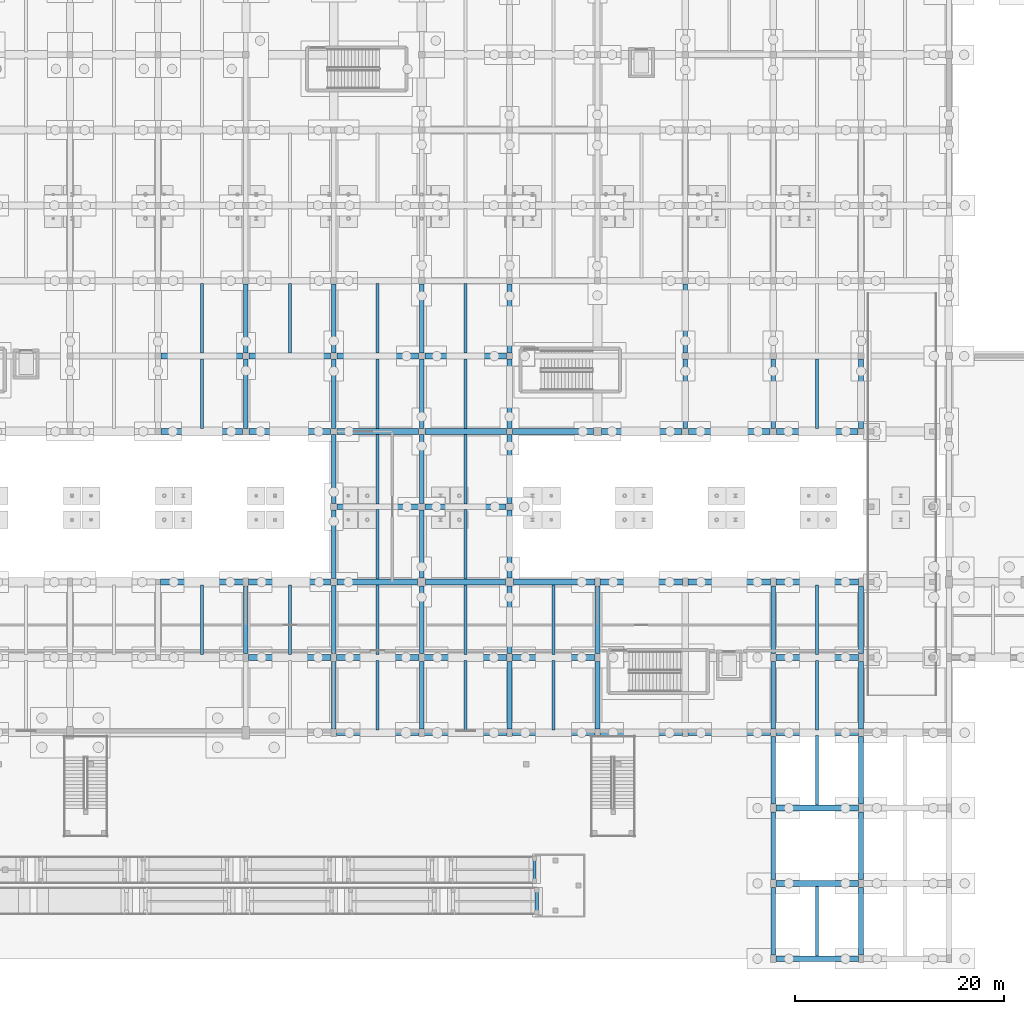
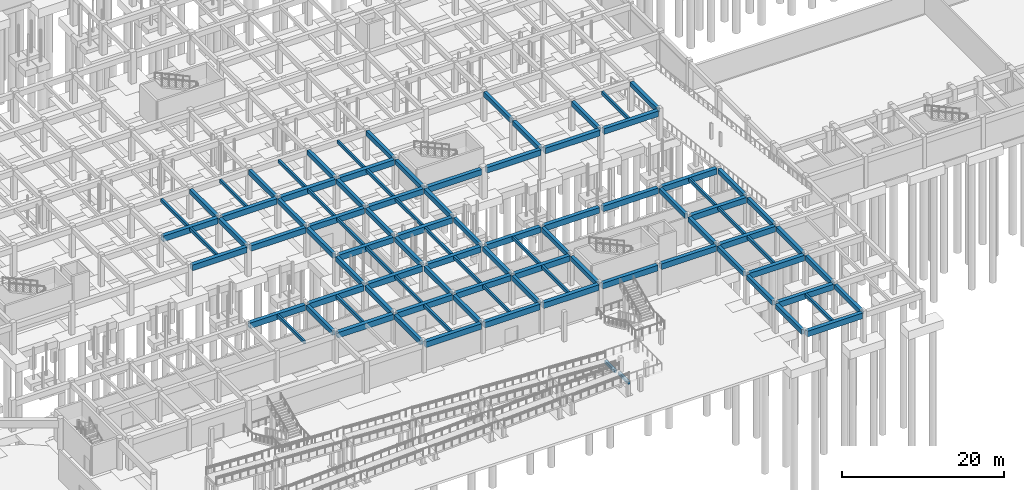
# One storey, part 52 of 80: 99 beams.
"""IFC4 building model written with IfcOpenShell, lengths in metres."""

from ifc_helpers import new_model, si_unit, direction, frame, origin, origin_2d, place, context, subcontext, project, spatial, rectangle, extrude, material, material_profile, profile_set, type_object, element, save


model = new_model("IFC4")

# Units and contexts
model_context = context("Model", 3, precision=1e-05, world=origin(), true_north=direction((0.0, 1.0)))
body_context = subcontext(model_context, "Body", "Model", "MODEL_VIEW")
ifc_project = project(units=[si_unit("LENGTHUNIT", "METRE"), si_unit("AREAUNIT", "SQUARE_METRE"), si_unit("VOLUMEUNIT", "CUBIC_METRE"), si_unit("PLANEANGLEUNIT", "RADIAN"), si_unit("MASSUNIT", "GRAM", prefix="KILO")], contexts=[model_context])

# Site, building, storey
site_placement = place(None, origin())
site = spatial("IfcSite", under=ifc_project, at=site_placement, CompositionType="ELEMENT")
building_placement = place(site_placement, origin())
building = spatial("IfcBuilding", under=site, at=building_placement, Name="Malvenik Polytechnic", CompositionType="ELEMENT")
storey_placement = place(building_placement, frame((0.0, 0.0, -4.800048828125)))
storey = spatial("IfcBuildingStorey", under=building, at=storey_placement, Name="B1", CompositionType="ELEMENT", Elevation=-4.800048828125)

# Beams
ifc_material_1 = material(Name="Concrete C35/45", Category="concrete")
ifc_material_profile_1 = material_profile(ifc_material_1, rectangle(XDim=0.550048828125, YDim=0.85009765625, at=origin_2d()), Name="RC BM 550x850")
ifc_profile_set_1 = profile_set([ifc_material_profile_1], Name="Concrete C35/45")
beam_type_1 = type_object("IfcBeamType", Name="STR-BM-B-01", PredefinedType="BEAM", material=ifc_profile_set_1)
for number, where, z_axis, x_axis, name in (
    (1, (117.847900390625, 0.0, 4.074951171875), (1.0, 0.0, 0.0), (0.0, 1.0, 0.0), "Primary Beam B-01 B1 #4"),
    (2, (117.847900390625, 7.199951171875, 4.074951171875), (1.0, 0.0, 0.0), (0.0, 1.0, 0.0), "Primary Beam B-01 B1 #6"),
    (3, (117.847900390625, 14.39990234375, 4.074951171875), (1.0, 0.0, 0.0), (0.0, 1.0, 0.0), "Primary Beam B-01 B1 #8"),
    (4, (75.847900390625, 21.60009765625, 4.074951171875), (1.0, 0.0, 0.0), (0.0, 1.0, 0.0), "Primary Beam B-01 B1 #13"),
    (5, (84.248046875, 21.60009765625, 4.074951171875), (1.0, 0.0, 0.0), (0.0, 1.0, 0.0), "Primary Beam B-01 B1 #14"),
    (6, (92.64794921875, 21.60009765625, 4.074951171875), (1.0, 0.0, 0.0), (0.0, 1.0, 0.0), "Primary Beam B-01 B1 #15"),
):
    element("IfcBeam", number, at=place(storey_placement, frame(where, z_axis=z_axis, x_axis=x_axis)), inside=storey, type_object=beam_type_1, Name=name, PredefinedType="BEAM", context=body_context, shape_type="SweptSolid", body=[
        extrude(rectangle(XDim=0.550048828125, YDim=0.85009765625, at=origin_2d()), origin(), (0.0, 0.0, 1.0), 7.904052734375),
    ])
beam_1_placement = place(storey_placement, frame((101.048095703125, 21.60009765625, 4.074951171875), z_axis=(1.0, 0.0, 0.0), x_axis=(0.0, 1.0, 0.0)))
element("IfcBeam", 7, at=beam_1_placement, inside=storey, type_object=beam_type_1, Name="Primary Beam B-01 B1 #16", PredefinedType="BEAM", context=body_context, shape_type="SweptSolid", body=[
    extrude(rectangle(XDim=0.550048828125, YDim=0.85009765625, at=origin_2d()), origin(), (0.0, 0.0, 1.0), 7.90380859375),
])
for number, where, z_axis, x_axis, name in (
    (8, (109.447998046875, 21.60009765625, 4.074951171875), (1.0, 0.0, 0.0), (0.0, 1.0, 0.0), "Primary Beam B-01 B1 #17"),
    (9, (117.847900390625, 21.60009765625, 4.074951171875), (1.0, 0.0, 0.0), (0.0, 1.0, 0.0), "Primary Beam B-01 B1 #18"),
    (10, (67.447998046875, 28.800048828125, 4.074951171875), (1.0, 0.0, 0.0), (0.0, 1.0, 0.0), "Primary Beam B-01 B1 #24"),
    (11, (75.847900390625, 28.800048828125, 4.074951171875), (1.0, 0.0, 0.0), (0.0, 1.0, 0.0), "Primary Beam B-01 B1 #25"),
    (12, (84.248046875, 28.800048828125, 4.074951171875), (1.0, 0.0, 0.0), (0.0, 1.0, 0.0), "Primary Beam B-01 B1 #26"),
    (13, (92.64794921875, 28.800048828125, 4.074951171875), (1.0, 0.0, 0.0), (0.0, 1.0, 0.0), "Primary Beam B-01 B1 #27"),
    (14, (117.847900390625, 28.800048828125, 4.074951171875), (1.0, 0.0, 0.0), (0.0, 1.0, 0.0), "Primary Beam B-01 B1 #28"),
):
    element("IfcBeam", number, at=place(storey_placement, frame(where, z_axis=z_axis, x_axis=x_axis)), inside=storey, type_object=beam_type_1, Name=name, PredefinedType="BEAM", context=body_context, shape_type="SweptSolid", body=[
        extrude(rectangle(XDim=0.550048828125, YDim=0.85009765625, at=origin_2d()), origin(), (0.0, 0.0, 1.0), 7.904052734375),
    ])
beam_2_placement = place(storey_placement, frame((59.048095703125, 36.0, 4.074951171875), z_axis=(1.0, 0.0, 0.0), x_axis=(0.0, 1.0, 0.0)))
element("IfcBeam", 15, at=beam_2_placement, inside=storey, type_object=beam_type_1, Name="Primary Beam B-01 B1 #39", PredefinedType="BEAM", context=body_context, shape_type="SweptSolid", body=[
    extrude(rectangle(XDim=0.550048828125, YDim=0.85009765625, at=origin_2d()), origin(), (0.0, 0.0, 1.0), 7.90380859375),
])
beam_3_placement = place(storey_placement, frame((67.447998046875, 36.0, 4.074951171875), z_axis=(1.0, 0.0, 0.0), x_axis=(0.0, 1.0, 0.0)))
element("IfcBeam", 16, at=beam_3_placement, inside=storey, type_object=beam_type_1, Name="Primary Beam B-01 B1 #40", PredefinedType="BEAM", context=body_context, shape_type="SweptSolid", body=[
    extrude(rectangle(XDim=0.550048828125, YDim=0.85009765625, at=origin_2d()), origin(), (0.0, 0.0, 1.0), 7.8291015625),
])
beam_4_placement = place(storey_placement, frame((75.923095703125, 36.0, 4.074951171875), z_axis=(1.0, 0.0, 0.0), x_axis=(0.0, 1.0, 0.0)))
element("IfcBeam", 17, at=beam_4_placement, inside=storey, type_object=beam_type_1, Name="Primary Beam B-01 B1 #41", PredefinedType="BEAM", context=body_context, shape_type="SweptSolid", body=[
    extrude(rectangle(XDim=0.550048828125, YDim=0.85009765625, at=origin_2d()), origin(), (0.0, 0.0, 1.0), 7.703857421875),
])
beam_5_placement = place(storey_placement, frame((84.373046875, 36.0, 4.074951171875), z_axis=(1.0, 0.0, 0.0), x_axis=(0.0, 1.0, 0.0)))
element("IfcBeam", 18, at=beam_5_placement, inside=storey, type_object=beam_type_1, Name="Primary Beam B-01 B1 #42", PredefinedType="BEAM", context=body_context, shape_type="SweptSolid", body=[
    extrude(rectangle(XDim=0.550048828125, YDim=0.85009765625, at=origin_2d()), origin(), (0.0, 0.0, 1.0), 7.654052734375),
])
beam_6_placement = place(storey_placement, frame((92.77294921875, 36.0, 4.074951171875), z_axis=(1.0, 0.0, 0.0), x_axis=(0.0, 1.0, 0.0)))
element("IfcBeam", 19, at=beam_6_placement, inside=storey, type_object=beam_type_1, Name="Primary Beam B-01 B1 #43", PredefinedType="BEAM", context=body_context, shape_type="SweptSolid", body=[
    extrude(rectangle(XDim=0.550048828125, YDim=0.85009765625, at=origin_2d()), origin(), (0.0, 0.0, 1.0), 7.779052734375),
])
beam_7_placement = place(storey_placement, frame((101.048095703125, 36.0, 4.074951171875), z_axis=(1.0, 0.0, 0.0), x_axis=(0.0, 1.0, 0.0)))
element("IfcBeam", 20, at=beam_7_placement, inside=storey, type_object=beam_type_1, Name="Primary Beam B-01 B1 #44", PredefinedType="BEAM", context=body_context, shape_type="SweptSolid", body=[
    extrude(rectangle(XDim=0.550048828125, YDim=0.85009765625, at=origin_2d()), origin(), (0.0, 0.0, 1.0), 7.90380859375),
])
for number, where, z_axis, x_axis, name in (
    (21, (109.447998046875, 36.0, 4.074951171875), (1.0, 0.0, 0.0), (0.0, 1.0, 0.0), "Primary Beam B-01 B1 #45"),
    (22, (117.847900390625, 36.0, 4.074951171875), (1.0, 0.0, 0.0), (0.0, 1.0, 0.0), "Primary Beam B-01 B1 #46"),
):
    element("IfcBeam", number, at=place(storey_placement, frame(where, z_axis=z_axis, x_axis=x_axis)), inside=storey, type_object=beam_type_1, Name=name, PredefinedType="BEAM", context=body_context, shape_type="SweptSolid", body=[
        extrude(rectangle(XDim=0.550048828125, YDim=0.85009765625, at=origin_2d()), origin(), (0.0, 0.0, 1.0), 7.904052734375),
    ])
for number, where, z_axis, x_axis, name in (
    (23, (75.923095703125, 43.199951171875, 4.074951171875), (1.0, 0.0, 0.0), (0.0, 1.0, 0.0), "Primary Beam B-01 B1 #53"),
    (24, (84.322998046875, 43.199951171875, 4.074951171875), (1.0, 0.0, 0.0), (0.0, 1.0, 0.0), "Primary Beam B-01 B1 #54"),
):
    element("IfcBeam", number, at=place(storey_placement, frame(where, z_axis=z_axis, x_axis=x_axis)), inside=storey, type_object=beam_type_1, Name=name, PredefinedType="BEAM", context=body_context, shape_type="SweptSolid", body=[
        extrude(rectangle(XDim=0.550048828125, YDim=0.85009765625, at=origin_2d()), origin(), (0.0, 0.0, 1.0), 7.75390625),
    ])
beam_8_placement = place(storey_placement, frame((59.097900390625, 50.39990234375, 4.074951171875), z_axis=(1.0, 0.0, 0.0), x_axis=(0.0, 1.0, 0.0)))
element("IfcBeam", 25, at=beam_8_placement, inside=storey, type_object=beam_type_1, Name="Primary Beam B-01 B1 #61", PredefinedType="BEAM", context=body_context, shape_type="SweptSolid", body=[
    extrude(rectangle(XDim=0.550048828125, YDim=0.85009765625, at=origin_2d()), origin(), (0.0, 0.0, 1.0), 7.80419921875),
])
for number, where, z_axis, x_axis, name in (
    (26, (67.498046875, 50.39990234375, 4.074951171875), (1.0, 0.0, 0.0), (0.0, 1.0, 0.0), "Primary Beam B-01 B1 #62"),
    (27, (75.89794921875, 50.39990234375, 4.074951171875), (1.0, 0.0, 0.0), (0.0, 1.0, 0.0), "Primary Beam B-01 B1 #63"),
    (28, (84.298095703125, 50.39990234375, 4.074951171875), (1.0, 0.0, 0.0), (0.0, 1.0, 0.0), "Primary Beam B-01 B1 #64"),
):
    element("IfcBeam", number, at=place(storey_placement, frame(where, z_axis=z_axis, x_axis=x_axis)), inside=storey, type_object=beam_type_1, Name=name, PredefinedType="BEAM", context=body_context, shape_type="SweptSolid", body=[
        extrude(rectangle(XDim=0.550048828125, YDim=0.85009765625, at=origin_2d()), origin(), (0.0, 0.0, 1.0), 7.803955078125),
    ])
for number, where, z_axis, x_axis, name in (
    (29, (92.697998046875, 50.39990234375, 4.074951171875), (1.0, 0.0, 0.0), (0.0, 1.0, 0.0), "Primary Beam B-01 B1 #65"),
    (30, (101.173095703125, 50.39990234375, 4.074951171875), (1.0, 0.0, 0.0), (0.0, 1.0, 0.0), "Primary Beam B-01 B1 #66"),
):
    element("IfcBeam", number, at=place(storey_placement, frame(where, z_axis=z_axis, x_axis=x_axis)), inside=storey, type_object=beam_type_1, Name=name, PredefinedType="BEAM", context=body_context, shape_type="SweptSolid", body=[
        extrude(rectangle(XDim=0.550048828125, YDim=0.85009765625, at=origin_2d()), origin(), (0.0, 0.0, 1.0), 7.72900390625),
    ])
for number, where, z_axis, x_axis, name in (
    (31, (109.498046875, 50.39990234375, 4.074951171875), (1.0, 0.0, 0.0), (0.0, 1.0, 0.0), "Primary Beam B-01 B1 #67"),
    (32, (117.89794921875, 50.39990234375, 4.074951171875), (1.0, 0.0, 0.0), (0.0, 1.0, 0.0), "Primary Beam B-01 B1 #68"),
):
    element("IfcBeam", number, at=place(storey_placement, frame(where, z_axis=z_axis, x_axis=x_axis)), inside=storey, type_object=beam_type_1, Name=name, PredefinedType="BEAM", context=body_context, shape_type="SweptSolid", body=[
        extrude(rectangle(XDim=0.550048828125, YDim=0.85009765625, at=origin_2d()), origin(), (0.0, 0.0, 1.0), 7.803955078125),
    ])
beam_9_placement = place(storey_placement, frame((59.097900390625, 57.60009765625, 4.074951171875), z_axis=(1.0, 0.0, 0.0), x_axis=(0.0, 1.0, 0.0)))
element("IfcBeam", 33, at=beam_9_placement, inside=storey, type_object=beam_type_1, Name="Primary Beam B-01 B1 #73", PredefinedType="BEAM", context=body_context, shape_type="SweptSolid", body=[
    extrude(rectangle(XDim=0.550048828125, YDim=0.85009765625, at=origin_2d()), origin(), (0.0, 0.0, 1.0), 7.80419921875),
])
for number, where, z_axis, x_axis, name in (
    (34, (67.498046875, 57.60009765625, 4.074951171875), (1.0, 0.0, 0.0), (0.0, 1.0, 0.0), "Primary Beam B-01 B1 #74"),
    (35, (75.89794921875, 57.60009765625, 4.074951171875), (1.0, 0.0, 0.0), (0.0, 1.0, 0.0), "Primary Beam B-01 B1 #75"),
    (36, (84.298095703125, 57.60009765625, 4.074951171875), (1.0, 0.0, 0.0), (0.0, 1.0, 0.0), "Primary Beam B-01 B1 #76"),
):
    element("IfcBeam", number, at=place(storey_placement, frame(where, z_axis=z_axis, x_axis=x_axis)), inside=storey, type_object=beam_type_1, Name=name, PredefinedType="BEAM", context=body_context, shape_type="SweptSolid", body=[
        extrude(rectangle(XDim=0.550048828125, YDim=0.85009765625, at=origin_2d()), origin(), (0.0, 0.0, 1.0), 7.803955078125),
    ])
ifc_material_profile_2 = material_profile(ifc_material_1, rectangle(XDim=0.449951171875, YDim=0.699951171875, at=origin_2d()), Name="RC BM 450x700")
ifc_profile_set_2 = profile_set([ifc_material_profile_2], Name="Concrete C35/45")
beam_type_2 = type_object("IfcBeamType", Name="STR-BM-B-04", PredefinedType="BEAM", material=ifc_profile_set_2)
beam_10_placement = place(storey_placement, frame((67.199951171875, 29.173095703125, 4.150146484375), z_axis=(0.0, 1.0, 0.0), x_axis=(-1.0, 0.0, 0.0)))
element("IfcBeam", 37, at=beam_10_placement, inside=storey, type_object=beam_type_2, Name="Transverse Beam B-04 B1 #270", PredefinedType="BEAM", context=body_context, shape_type="SweptSolid", body=[
    extrude(rectangle(XDim=0.449951171875, YDim=0.699951171875, at=origin_2d()), origin(), (0.0, 0.0, 1.0), 6.453857421875),
])
for number, where, z_axis, x_axis, name in (
    (38, (67.199951171875, 50.697998046875, 4.150146484375), (0.0, 1.0, 0.0), (-1.0, 0.0, 0.0), "Transverse Beam B-04 B1 #271"),
    (39, (67.199951171875, 57.89794921875, 4.150146484375), (0.0, 1.0, 0.0), (-1.0, 0.0, 0.0), "Transverse Beam B-04 B1 #272"),
):
    element("IfcBeam", number, at=place(storey_placement, frame(where, z_axis=z_axis, x_axis=x_axis)), inside=storey, type_object=beam_type_2, Name=name, PredefinedType="BEAM", context=body_context, shape_type="SweptSolid", body=[
        extrude(rectangle(XDim=0.449951171875, YDim=0.699951171875, at=origin_2d()), origin(), (0.0, 0.0, 1.0), 6.60400390625),
    ])
beam_11_placement = place(storey_placement, frame((75.60009765625, 21.972900390625, 4.150146484375), z_axis=(0.0, 1.0, 0.0), x_axis=(-1.0, 0.0, 0.0)))
element("IfcBeam", 40, at=beam_11_placement, inside=storey, type_object=beam_type_2, Name="Transverse Beam B-04 B1 #279", PredefinedType="BEAM", context=body_context, shape_type="SweptSolid", body=[
    extrude(rectangle(XDim=0.449951171875, YDim=0.699951171875, at=origin_2d()), origin(), (0.0, 0.0, 1.0), 6.4541015625),
])
beam_12_placement = place(storey_placement, frame((75.60009765625, 29.173095703125, 4.150146484375), z_axis=(0.0, 1.0, 0.0), x_axis=(-1.0, 0.0, 0.0)))
element("IfcBeam", 41, at=beam_12_placement, inside=storey, type_object=beam_type_2, Name="Transverse Beam B-04 B1 #280", PredefinedType="BEAM", context=body_context, shape_type="SweptSolid", body=[
    extrude(rectangle(XDim=0.449951171875, YDim=0.699951171875, at=origin_2d()), origin(), (0.0, 0.0, 1.0), 6.50390625),
])
beam_13_placement = place(storey_placement, frame((75.60009765625, 36.322998046875, 4.150146484375), z_axis=(0.0, 1.0, 0.0), x_axis=(-1.0, 0.0, 0.0)))
element("IfcBeam", 42, at=beam_13_placement, inside=storey, type_object=beam_type_2, Name="Transverse Beam B-04 B1 #281", PredefinedType="BEAM", context=body_context, shape_type="SweptSolid", body=[
    extrude(rectangle(XDim=0.449951171875, YDim=0.699951171875, at=origin_2d()), origin(), (0.0, 0.0, 1.0), 6.553955078125),
])
beam_14_placement = place(storey_placement, frame((75.60009765625, 43.52294921875, 4.150146484375), z_axis=(0.0, 1.0, 0.0), x_axis=(-1.0, 0.0, 0.0)))
element("IfcBeam", 43, at=beam_14_placement, inside=storey, type_object=beam_type_2, Name="Transverse Beam B-04 B1 #282", PredefinedType="BEAM", context=body_context, shape_type="SweptSolid", body=[
    extrude(rectangle(XDim=0.449951171875, YDim=0.699951171875, at=origin_2d()), origin(), (0.0, 0.0, 1.0), 6.5791015625),
])
for number, where, z_axis, x_axis, name in (
    (44, (75.60009765625, 50.697998046875, 4.150146484375), (0.0, 1.0, 0.0), (-1.0, 0.0, 0.0), "Transverse Beam B-04 B1 #283"),
    (45, (75.60009765625, 57.89794921875, 4.150146484375), (0.0, 1.0, 0.0), (-1.0, 0.0, 0.0), "Transverse Beam B-04 B1 #284"),
):
    element("IfcBeam", number, at=place(storey_placement, frame(where, z_axis=z_axis, x_axis=x_axis)), inside=storey, type_object=beam_type_2, Name=name, PredefinedType="BEAM", context=body_context, shape_type="SweptSolid", body=[
        extrude(rectangle(XDim=0.449951171875, YDim=0.699951171875, at=origin_2d()), origin(), (0.0, 0.0, 1.0), 6.60400390625),
    ])
beam_15_placement = place(storey_placement, frame((84.0, 21.972900390625, 4.150146484375), z_axis=(0.0, 1.0, 0.0), x_axis=(-1.0, 0.0, 0.0)))
element("IfcBeam", 46, at=beam_15_placement, inside=storey, type_object=beam_type_2, Name="Transverse Beam B-04 B1 #292", PredefinedType="BEAM", context=body_context, shape_type="SweptSolid", body=[
    extrude(rectangle(XDim=0.449951171875, YDim=0.699951171875, at=origin_2d()), origin(), (0.0, 0.0, 1.0), 6.4541015625),
])
beam_16_placement = place(storey_placement, frame((84.0, 29.173095703125, 4.150146484375), z_axis=(0.0, 1.0, 0.0), x_axis=(-1.0, 0.0, 0.0)))
element("IfcBeam", 47, at=beam_16_placement, inside=storey, type_object=beam_type_2, Name="Transverse Beam B-04 B1 #293", PredefinedType="BEAM", context=body_context, shape_type="SweptSolid", body=[
    extrude(rectangle(XDim=0.449951171875, YDim=0.699951171875, at=origin_2d()), origin(), (0.0, 0.0, 1.0), 6.453857421875),
])
beam_17_placement = place(storey_placement, frame((84.0, 36.373046875, 4.150146484375), z_axis=(0.0, 1.0, 0.0), x_axis=(-1.0, 0.0, 0.0)))
element("IfcBeam", 48, at=beam_17_placement, inside=storey, type_object=beam_type_2, Name="Transverse Beam B-04 B1 #294", PredefinedType="BEAM", context=body_context, shape_type="SweptSolid", body=[
    extrude(rectangle(XDim=0.449951171875, YDim=0.699951171875, at=origin_2d()), origin(), (0.0, 0.0, 1.0), 6.50390625),
])
beam_18_placement = place(storey_placement, frame((84.0, 43.52294921875, 4.150146484375), z_axis=(0.0, 1.0, 0.0), x_axis=(-1.0, 0.0, 0.0)))
element("IfcBeam", 49, at=beam_18_placement, inside=storey, type_object=beam_type_2, Name="Transverse Beam B-04 B1 #295", PredefinedType="BEAM", context=body_context, shape_type="SweptSolid", body=[
    extrude(rectangle(XDim=0.449951171875, YDim=0.699951171875, at=origin_2d()), origin(), (0.0, 0.0, 1.0), 6.5791015625),
])
for number, where, z_axis, x_axis, name in (
    (50, (84.0, 50.697998046875, 4.150146484375), (0.0, 1.0, 0.0), (-1.0, 0.0, 0.0), "Transverse Beam B-04 B1 #296"),
    (51, (84.0, 57.89794921875, 4.150146484375), (0.0, 1.0, 0.0), (-1.0, 0.0, 0.0), "Transverse Beam B-04 B1 #297"),
):
    element("IfcBeam", number, at=place(storey_placement, frame(where, z_axis=z_axis, x_axis=x_axis)), inside=storey, type_object=beam_type_2, Name=name, PredefinedType="BEAM", context=body_context, shape_type="SweptSolid", body=[
        extrude(rectangle(XDim=0.449951171875, YDim=0.699951171875, at=origin_2d()), origin(), (0.0, 0.0, 1.0), 6.60400390625),
    ])
beam_19_placement = place(storey_placement, frame((92.39990234375, 21.972900390625, 4.150146484375), z_axis=(0.0, 1.0, 0.0), x_axis=(-1.0, 0.0, 0.0)))
element("IfcBeam", 52, at=beam_19_placement, inside=storey, type_object=beam_type_2, Name="Transverse Beam B-04 B1 #307", PredefinedType="BEAM", context=body_context, shape_type="SweptSolid", body=[
    extrude(rectangle(XDim=0.449951171875, YDim=0.699951171875, at=origin_2d()), origin(), (0.0, 0.0, 1.0), 6.4541015625),
])
beam_20_placement = place(storey_placement, frame((92.39990234375, 29.173095703125, 4.150146484375), z_axis=(0.0, 1.0, 0.0), x_axis=(-1.0, 0.0, 0.0)))
element("IfcBeam", 53, at=beam_20_placement, inside=storey, type_object=beam_type_2, Name="Transverse Beam B-04 B1 #308", PredefinedType="BEAM", context=body_context, shape_type="SweptSolid", body=[
    extrude(rectangle(XDim=0.449951171875, YDim=0.699951171875, at=origin_2d()), origin(), (0.0, 0.0, 1.0), 6.453857421875),
])
beam_21_placement = place(storey_placement, frame((92.39990234375, 36.373046875, 4.150146484375), z_axis=(0.0, 1.0, 0.0), x_axis=(-1.0, 0.0, 0.0)))
element("IfcBeam", 54, at=beam_21_placement, inside=storey, type_object=beam_type_2, Name="Transverse Beam B-04 B1 #309", PredefinedType="BEAM", context=body_context, shape_type="SweptSolid", body=[
    extrude(rectangle(XDim=0.449951171875, YDim=0.699951171875, at=origin_2d()), origin(), (0.0, 0.0, 1.0), 6.50390625),
])
beam_22_placement = place(storey_placement, frame((92.39990234375, 43.52294921875, 4.150146484375), z_axis=(0.0, 1.0, 0.0), x_axis=(-1.0, 0.0, 0.0)))
element("IfcBeam", 55, at=beam_22_placement, inside=storey, type_object=beam_type_2, Name="Transverse Beam B-04 B1 #310", PredefinedType="BEAM", context=body_context, shape_type="SweptSolid", body=[
    extrude(rectangle(XDim=0.449951171875, YDim=0.699951171875, at=origin_2d()), origin(), (0.0, 0.0, 1.0), 6.5791015625),
])
for number, where, z_axis, x_axis, name in (
    (56, (92.39990234375, 50.697998046875, 4.150146484375), (0.0, 1.0, 0.0), (-1.0, 0.0, 0.0), "Transverse Beam B-04 B1 #311"),
    (57, (92.39990234375, 57.89794921875, 4.150146484375), (0.0, 1.0, 0.0), (-1.0, 0.0, 0.0), "Transverse Beam B-04 B1 #312"),
):
    element("IfcBeam", number, at=place(storey_placement, frame(where, z_axis=z_axis, x_axis=x_axis)), inside=storey, type_object=beam_type_2, Name=name, PredefinedType="BEAM", context=body_context, shape_type="SweptSolid", body=[
        extrude(rectangle(XDim=0.449951171875, YDim=0.699951171875, at=origin_2d()), origin(), (0.0, 0.0, 1.0), 6.60400390625),
    ])
beam_23_placement = place(storey_placement, frame((100.800048828125, 21.972900390625, 4.150146484375), z_axis=(0.0, 1.0, 0.0), x_axis=(-1.0, 0.0, 0.0)))
element("IfcBeam", 58, at=beam_23_placement, inside=storey, type_object=beam_type_2, Name="Transverse Beam B-04 B1 #322", PredefinedType="BEAM", context=body_context, shape_type="SweptSolid", body=[
    extrude(rectangle(XDim=0.449951171875, YDim=0.699951171875, at=origin_2d()), origin(), (0.0, 0.0, 1.0), 6.4541015625),
])
beam_24_placement = place(storey_placement, frame((100.800048828125, 29.173095703125, 4.150146484375), z_axis=(0.0, 1.0, 0.0), x_axis=(-1.0, 0.0, 0.0)))
element("IfcBeam", 59, at=beam_24_placement, inside=storey, type_object=beam_type_2, Name="Transverse Beam B-04 B1 #323", PredefinedType="BEAM", context=body_context, shape_type="SweptSolid", body=[
    extrude(rectangle(XDim=0.449951171875, YDim=0.699951171875, at=origin_2d()), origin(), (0.0, 0.0, 1.0), 6.453857421875),
])
for number, where, z_axis, x_axis, name in (
    (60, (109.199951171875, 50.697998046875, 4.150146484375), (0.0, 1.0, 0.0), (-1.0, 0.0, 0.0), "Transverse Beam B-04 B1 #328"),
    (61, (109.199951171875, 57.89794921875, 4.150146484375), (0.0, 1.0, 0.0), (-1.0, 0.0, 0.0), "Transverse Beam B-04 B1 #329"),
):
    element("IfcBeam", number, at=place(storey_placement, frame(where, z_axis=z_axis, x_axis=x_axis)), inside=storey, type_object=beam_type_2, Name=name, PredefinedType="BEAM", context=body_context, shape_type="SweptSolid", body=[
        extrude(rectangle(XDim=0.449951171875, YDim=0.699951171875, at=origin_2d()), origin(), (0.0, 0.0, 1.0), 6.60400390625),
    ])
beam_25_placement = place(storey_placement, frame((117.60009765625, 0.373046875, 4.150146484375), z_axis=(0.0, 1.0, 0.0), x_axis=(-1.0, 0.0, 0.0)))
element("IfcBeam", 62, at=beam_25_placement, inside=storey, type_object=beam_type_2, Name="Transverse Beam B-04 B1 #336", PredefinedType="BEAM", context=body_context, shape_type="SweptSolid", body=[
    extrude(rectangle(XDim=0.449951171875, YDim=0.699951171875, at=origin_2d()), origin(), (0.0, 0.0, 1.0), 6.453857421875),
])
for number, where, z_axis, x_axis, name in (
    (63, (117.60009765625, 7.572998046875, 4.150146484375), (0.0, 1.0, 0.0), (-1.0, 0.0, 0.0), "Transverse Beam B-04 B1 #337"),
    (64, (117.60009765625, 14.77294921875, 4.150146484375), (0.0, 1.0, 0.0), (-1.0, 0.0, 0.0), "Transverse Beam B-04 B1 #338"),
    (65, (117.60009765625, 21.972900390625, 4.150146484375), (0.0, 1.0, 0.0), (-1.0, 0.0, 0.0), "Transverse Beam B-04 B1 #339"),
):
    element("IfcBeam", number, at=place(storey_placement, frame(where, z_axis=z_axis, x_axis=x_axis)), inside=storey, type_object=beam_type_2, Name=name, PredefinedType="BEAM", context=body_context, shape_type="SweptSolid", body=[
        extrude(rectangle(XDim=0.449951171875, YDim=0.699951171875, at=origin_2d()), origin(), (0.0, 0.0, 1.0), 6.4541015625),
    ])
beam_26_placement = place(storey_placement, frame((117.60009765625, 29.173095703125, 4.150146484375), z_axis=(0.0, 1.0, 0.0), x_axis=(-1.0, 0.0, 0.0)))
element("IfcBeam", 66, at=beam_26_placement, inside=storey, type_object=beam_type_2, Name="Transverse Beam B-04 B1 #340", PredefinedType="BEAM", context=body_context, shape_type="SweptSolid", body=[
    extrude(rectangle(XDim=0.449951171875, YDim=0.699951171875, at=origin_2d()), origin(), (0.0, 0.0, 1.0), 6.453857421875),
])
beam_27_placement = place(storey_placement, frame((117.60009765625, 50.697998046875, 4.150146484375), z_axis=(0.0, 1.0, 0.0), x_axis=(-1.0, 0.0, 0.0)))
element("IfcBeam", 67, at=beam_27_placement, inside=storey, type_object=beam_type_2, Name="Transverse Beam B-04 B1 #341", PredefinedType="BEAM", context=body_context, shape_type="SweptSolid", body=[
    extrude(rectangle(XDim=0.449951171875, YDim=0.699951171875, at=origin_2d()), origin(), (0.0, 0.0, 1.0), 6.60400390625),
])
beam_28_placement = place(storey_placement, frame((126.0, 0.373046875, 4.150146484375), z_axis=(0.0, 1.0, 0.0), x_axis=(-1.0, 0.0, 0.0)))
element("IfcBeam", 68, at=beam_28_placement, inside=storey, type_object=beam_type_2, Name="Transverse Beam B-04 B1 #349", PredefinedType="BEAM", context=body_context, shape_type="SweptSolid", body=[
    extrude(rectangle(XDim=0.449951171875, YDim=0.699951171875, at=origin_2d()), origin(), (0.0, 0.0, 1.0), 6.453857421875),
])
for number, where, z_axis, x_axis, name in (
    (69, (126.0, 7.572998046875, 4.150146484375), (0.0, 1.0, 0.0), (-1.0, 0.0, 0.0), "Transverse Beam B-04 B1 #350"),
    (70, (126.0, 14.77294921875, 4.150146484375), (0.0, 1.0, 0.0), (-1.0, 0.0, 0.0), "Transverse Beam B-04 B1 #351"),
    (71, (126.0, 21.972900390625, 4.150146484375), (0.0, 1.0, 0.0), (-1.0, 0.0, 0.0), "Transverse Beam B-04 B1 #352"),
):
    element("IfcBeam", number, at=place(storey_placement, frame(where, z_axis=z_axis, x_axis=x_axis)), inside=storey, type_object=beam_type_2, Name=name, PredefinedType="BEAM", context=body_context, shape_type="SweptSolid", body=[
        extrude(rectangle(XDim=0.449951171875, YDim=0.699951171875, at=origin_2d()), origin(), (0.0, 0.0, 1.0), 6.4541015625),
    ])
beam_29_placement = place(storey_placement, frame((126.0, 29.173095703125, 4.150146484375), z_axis=(0.0, 1.0, 0.0), x_axis=(-1.0, 0.0, 0.0)))
element("IfcBeam", 72, at=beam_29_placement, inside=storey, type_object=beam_type_2, Name="Transverse Beam B-04 B1 #353", PredefinedType="BEAM", context=body_context, shape_type="SweptSolid", body=[
    extrude(rectangle(XDim=0.449951171875, YDim=0.699951171875, at=origin_2d()), origin(), (0.0, 0.0, 1.0), 6.453857421875),
])
beam_30_placement = place(storey_placement, frame((126.0, 50.697998046875, 4.150146484375), z_axis=(0.0, 1.0, 0.0), x_axis=(-1.0, 0.0, 0.0)))
element("IfcBeam", 73, at=beam_30_placement, inside=storey, type_object=beam_type_2, Name="Transverse Beam B-04 B1 #354", PredefinedType="BEAM", context=body_context, shape_type="SweptSolid", body=[
    extrude(rectangle(XDim=0.449951171875, YDim=0.699951171875, at=origin_2d()), origin(), (0.0, 0.0, 1.0), 6.60400390625),
])
ifc_material_2 = material(Name="Concrete C30/37", Category="concrete")
ifc_material_profile_3 = material_profile(ifc_material_2, rectangle(XDim=0.300048828125, YDim=0.449951171875, at=origin_2d()), Name="RC BM 300x450")
ifc_profile_set_3 = profile_set([ifc_material_profile_3], Name="Concrete C30/37")
beam_type_3 = type_object("IfcBeamType", Name="STR-BM-B-10", PredefinedType="BEAM", material=ifc_profile_set_3)
for number, where, z_axis, x_axis, name in (
    (74, (95.0, 4.25, 1.969970703125), (0.0, 1.0, 0.0), (-1.0, 0.0, 0.0), "Forecourt Ramp Support Beam RB-04-11"),
    (75, (94.800048828125, 7.25, 1.969970703125), (0.0, 1.0, 0.0), (-1.0, 0.0, 0.0), "Forecourt Ramp Support Beam RB-05-0"),
):
    element("IfcBeam", number, at=place(storey_placement, frame(where, z_axis=z_axis, x_axis=x_axis)), inside=storey, type_object=beam_type_3, Name=name, PredefinedType="BEAM", context=body_context, shape_type="SweptSolid", body=[
        extrude(rectangle(XDim=0.300048828125, YDim=0.449951171875, at=origin_2d()), origin(), (0.0, 0.0, 1.0), 2.5),
    ])
ifc_material_profile_4 = material_profile(ifc_material_2, rectangle(XDim=0.280029296875, YDim=0.47998046875, at=origin_2d()), Name="RC JST 280x480")
ifc_profile_set_4 = profile_set([ifc_material_profile_4], Name="Concrete C30/37")
beam_type_4 = type_object("IfcBeamType", Name="STR-BM-J-01", PredefinedType="JOIST", material=ifc_profile_set_4)
beam_31_placement = place(storey_placement, frame((63.0, 29.072998046875, 4.260009765625), z_axis=(0.0, 1.0, 0.0), x_axis=(-1.0, 0.0, 0.0)))
element("IfcBeam", 76, at=beam_31_placement, inside=storey, type_object=beam_type_4, Name="Secondary Rib Joist J-01 B1 #441", PredefinedType="JOIST", context=body_context, shape_type="SweptSolid", body=[
    extrude(rectangle(XDim=0.280029296875, YDim=0.47998046875, at=origin_2d()), origin(), (0.0, 0.0, 1.0), 6.654052734375),
])
beam_32_placement = place(storey_placement, frame((63.0, 50.673095703125, 4.260009765625), z_axis=(0.0, 1.0, 0.0), x_axis=(-1.0, 0.0, 0.0)))
element("IfcBeam", 77, at=beam_32_placement, inside=storey, type_object=beam_type_4, Name="Secondary Rib Joist J-01 B1 #442", PredefinedType="JOIST", context=body_context, shape_type="SweptSolid", body=[
    extrude(rectangle(XDim=0.280029296875, YDim=0.47998046875, at=origin_2d()), origin(), (0.0, 0.0, 1.0), 6.65380859375),
])
for number, where, z_axis, x_axis, name in (
    (78, (63.0, 57.873046875, 4.260009765625), (0.0, 1.0, 0.0), (-1.0, 0.0, 0.0), "Secondary Rib Joist J-01 B1 #443"),
    (79, (71.39990234375, 29.072998046875, 4.260009765625), (0.0, 1.0, 0.0), (-1.0, 0.0, 0.0), "Secondary Rib Joist J-01 B1 #449"),
    (80, (71.39990234375, 57.873046875, 4.260009765625), (0.0, 1.0, 0.0), (-1.0, 0.0, 0.0), "Secondary Rib Joist J-01 B1 #450"),
    (81, (79.800048828125, 21.873046875, 4.260009765625), (0.0, 1.0, 0.0), (-1.0, 0.0, 0.0), "Secondary Rib Joist J-01 B1 #454"),
    (82, (79.800048828125, 29.072998046875, 4.260009765625), (0.0, 1.0, 0.0), (-1.0, 0.0, 0.0), "Secondary Rib Joist J-01 B1 #455"),
    (83, (79.800048828125, 36.27294921875, 4.260009765625), (0.0, 1.0, 0.0), (-1.0, 0.0, 0.0), "Secondary Rib Joist J-01 B1 #456"),
    (84, (79.800048828125, 43.472900390625, 4.260009765625), (0.0, 1.0, 0.0), (-1.0, 0.0, 0.0), "Secondary Rib Joist J-01 B1 #457"),
):
    element("IfcBeam", number, at=place(storey_placement, frame(where, z_axis=z_axis, x_axis=x_axis)), inside=storey, type_object=beam_type_4, Name=name, PredefinedType="JOIST", context=body_context, shape_type="SweptSolid", body=[
        extrude(rectangle(XDim=0.280029296875, YDim=0.47998046875, at=origin_2d()), origin(), (0.0, 0.0, 1.0), 6.654052734375),
    ])
beam_33_placement = place(storey_placement, frame((79.800048828125, 50.673095703125, 4.260009765625), z_axis=(0.0, 1.0, 0.0), x_axis=(-1.0, 0.0, 0.0)))
element("IfcBeam", 85, at=beam_33_placement, inside=storey, type_object=beam_type_4, Name="Secondary Rib Joist J-01 B1 #458", PredefinedType="JOIST", context=body_context, shape_type="SweptSolid", body=[
    extrude(rectangle(XDim=0.280029296875, YDim=0.47998046875, at=origin_2d()), origin(), (0.0, 0.0, 1.0), 6.65380859375),
])
for number, where, z_axis, x_axis, name in (
    (86, (79.800048828125, 57.873046875, 4.260009765625), (0.0, 1.0, 0.0), (-1.0, 0.0, 0.0), "Secondary Rib Joist J-01 B1 #459"),
    (87, (88.199951171875, 21.873046875, 4.260009765625), (0.0, 1.0, 0.0), (-1.0, 0.0, 0.0), "Secondary Rib Joist J-01 B1 #464"),
    (88, (88.199951171875, 29.072998046875, 4.260009765625), (0.0, 1.0, 0.0), (-1.0, 0.0, 0.0), "Secondary Rib Joist J-01 B1 #465"),
    (89, (88.199951171875, 36.27294921875, 4.260009765625), (0.0, 1.0, 0.0), (-1.0, 0.0, 0.0), "Secondary Rib Joist J-01 B1 #466"),
    (90, (88.199951171875, 43.472900390625, 4.260009765625), (0.0, 1.0, 0.0), (-1.0, 0.0, 0.0), "Secondary Rib Joist J-01 B1 #467"),
):
    element("IfcBeam", number, at=place(storey_placement, frame(where, z_axis=z_axis, x_axis=x_axis)), inside=storey, type_object=beam_type_4, Name=name, PredefinedType="JOIST", context=body_context, shape_type="SweptSolid", body=[
        extrude(rectangle(XDim=0.280029296875, YDim=0.47998046875, at=origin_2d()), origin(), (0.0, 0.0, 1.0), 6.654052734375),
    ])
beam_34_placement = place(storey_placement, frame((88.199951171875, 50.673095703125, 4.260009765625), z_axis=(0.0, 1.0, 0.0), x_axis=(-1.0, 0.0, 0.0)))
element("IfcBeam", 91, at=beam_34_placement, inside=storey, type_object=beam_type_4, Name="Secondary Rib Joist J-01 B1 #468", PredefinedType="JOIST", context=body_context, shape_type="SweptSolid", body=[
    extrude(rectangle(XDim=0.280029296875, YDim=0.47998046875, at=origin_2d()), origin(), (0.0, 0.0, 1.0), 6.65380859375),
])
for number, where, z_axis, x_axis, name in (
    (92, (88.199951171875, 57.873046875, 4.260009765625), (0.0, 1.0, 0.0), (-1.0, 0.0, 0.0), "Secondary Rib Joist J-01 B1 #469"),
    (93, (96.60009765625, 21.873046875, 4.260009765625), (0.0, 1.0, 0.0), (-1.0, 0.0, 0.0), "Secondary Rib Joist J-01 B1 #479"),
    (94, (96.60009765625, 29.072998046875, 4.260009765625), (0.0, 1.0, 0.0), (-1.0, 0.0, 0.0), "Secondary Rib Joist J-01 B1 #480"),
    (95, (121.800048828125, 0.27294921875, 4.260009765625), (0.0, 1.0, 0.0), (-1.0, 0.0, 0.0), "Secondary Rib Joist J-01 B1 #492"),
):
    element("IfcBeam", number, at=place(storey_placement, frame(where, z_axis=z_axis, x_axis=x_axis)), inside=storey, type_object=beam_type_4, Name=name, PredefinedType="JOIST", context=body_context, shape_type="SweptSolid", body=[
        extrude(rectangle(XDim=0.280029296875, YDim=0.47998046875, at=origin_2d()), origin(), (0.0, 0.0, 1.0), 6.654052734375),
    ])
beam_35_placement = place(storey_placement, frame((121.800048828125, 14.673095703125, 4.260009765625), z_axis=(0.0, 1.0, 0.0), x_axis=(-1.0, 0.0, 0.0)))
element("IfcBeam", 96, at=beam_35_placement, inside=storey, type_object=beam_type_4, Name="Secondary Rib Joist J-01 B1 #493", PredefinedType="JOIST", context=body_context, shape_type="SweptSolid", body=[
    extrude(rectangle(XDim=0.280029296875, YDim=0.47998046875, at=origin_2d()), origin(), (0.0, 0.0, 1.0), 6.65380859375),
])
for number, where, z_axis, x_axis, name in (
    (97, (121.800048828125, 21.873046875, 4.260009765625), (0.0, 1.0, 0.0), (-1.0, 0.0, 0.0), "Secondary Rib Joist J-01 B1 #494"),
    (98, (121.800048828125, 29.072998046875, 4.260009765625), (0.0, 1.0, 0.0), (-1.0, 0.0, 0.0), "Secondary Rib Joist J-01 B1 #495"),
):
    element("IfcBeam", number, at=place(storey_placement, frame(where, z_axis=z_axis, x_axis=x_axis)), inside=storey, type_object=beam_type_4, Name=name, PredefinedType="JOIST", context=body_context, shape_type="SweptSolid", body=[
        extrude(rectangle(XDim=0.280029296875, YDim=0.47998046875, at=origin_2d()), origin(), (0.0, 0.0, 1.0), 6.654052734375),
    ])
beam_36_placement = place(storey_placement, frame((121.800048828125, 50.673095703125, 4.260009765625), z_axis=(0.0, 1.0, 0.0), x_axis=(-1.0, 0.0, 0.0)))
element("IfcBeam", 99, at=beam_36_placement, inside=storey, type_object=beam_type_4, Name="Secondary Rib Joist J-01 B1 #496", PredefinedType="JOIST", context=body_context, shape_type="SweptSolid", body=[
    extrude(rectangle(XDim=0.280029296875, YDim=0.47998046875, at=origin_2d()), origin(), (0.0, 0.0, 1.0), 6.65380859375),
])

save(model, "model.ifc")
